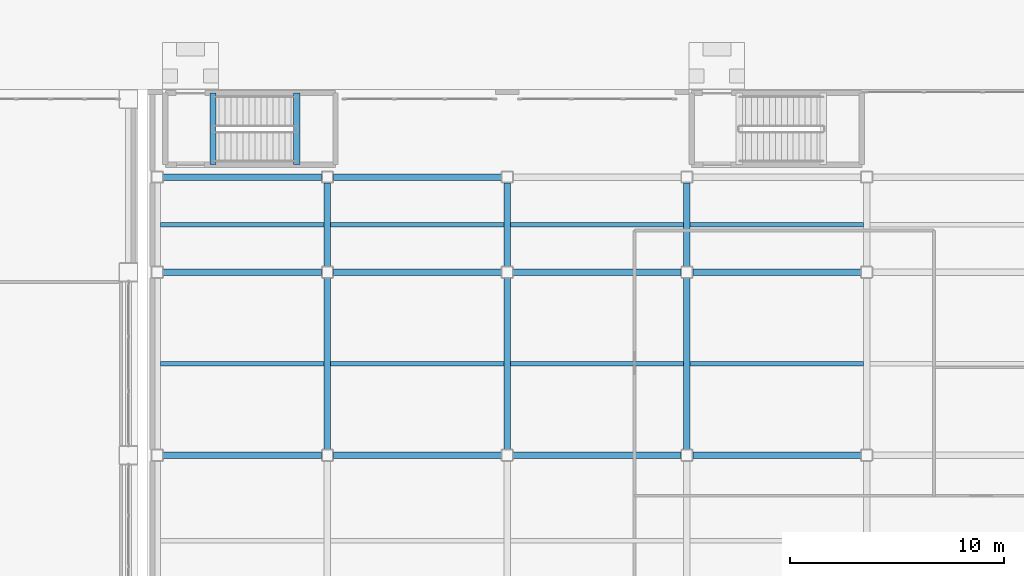
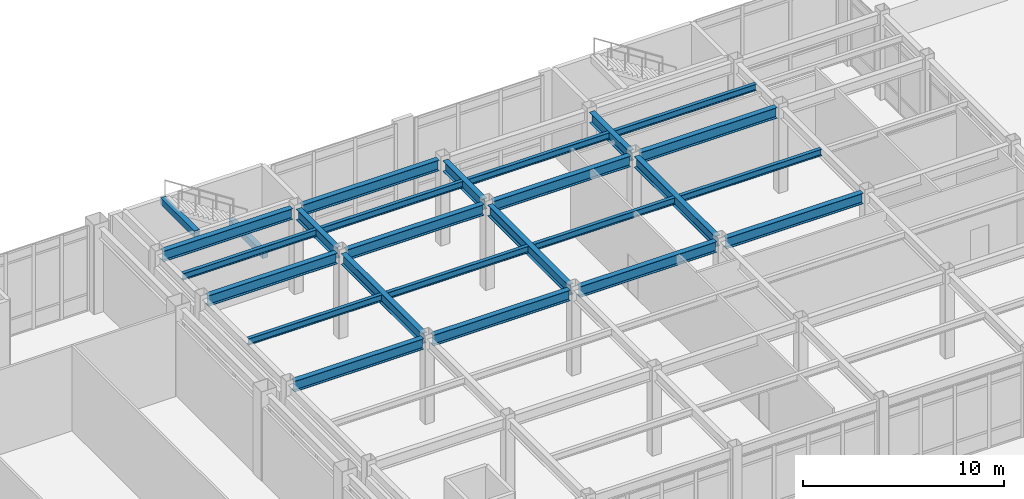
# One storey, part 77 of 165: 26 beams.
"""IFC4 building model written with IfcOpenShell, lengths in metres."""

from ifc_helpers import new_model, si_unit, direction, frame, origin, origin_2d, place, context, subcontext, project, spatial, rectangle, i_section, extrude, material, material_profile, profile_set, type_object, element, save


model = new_model("IFC4")

# Units and contexts
model_context = context("Model", 3, precision=1e-05, world=origin(), true_north=direction((0.0, 1.0)))
body_context = subcontext(model_context, "Body", "Model", "MODEL_VIEW")
ifc_project = project(units=[si_unit("LENGTHUNIT", "METRE"), si_unit("AREAUNIT", "SQUARE_METRE"), si_unit("VOLUMEUNIT", "CUBIC_METRE"), si_unit("PLANEANGLEUNIT", "RADIAN"), si_unit("MASSUNIT", "GRAM", prefix="KILO")], contexts=[model_context])

# Site, building, storey
site_placement = place(None, origin())
site = spatial("IfcSite", under=ifc_project, at=site_placement, CompositionType="ELEMENT")
building_placement = place(site_placement, origin())
building = spatial("IfcBuilding", under=site, at=building_placement, Name="Kazehara Bluff Congress Hotel", CompositionType="ELEMENT")
storey_placement = place(building_placement, origin())
storey = spatial("IfcBuildingStorey", under=building, at=storey_placement, Name="L00", CompositionType="ELEMENT", Elevation=0.0)

# Beams
ifc_material_1 = material(Name="Steel SN490B", Category="steel")
ifc_material_profile_1 = material_profile(ifc_material_1, i_section(OverallWidth=0.300048828125, OverallDepth=0.64990234375, WebThickness=0.011962890625, FlangeThickness=0.02001953125, FilletRadius=0.012939453125, at=origin_2d()))
ifc_profile_set_1 = profile_set([ifc_material_profile_1], Name="Steel SN490B")
beam_type_1 = type_object("IfcBeamType", Name="TP-G-03", PredefinedType="BEAM", material=ifc_profile_set_1)
beam_1_placement = place(storey_placement, frame((67.64990234375, 97.175048828125, 4.824951171875), z_axis=(0.0, 1.0, 0.0), x_axis=(-1.0, 0.0, 0.0)))
element("IfcBeam", 1, at=beam_1_placement, inside=storey, type_object=beam_type_1, Name="L00 girder G-03 105", PredefinedType="BEAM", context=body_context, shape_type="SweptSolid", body=[
    extrude(i_section(OverallWidth=0.300048828125, OverallDepth=0.64990234375, WebThickness=0.011962890625, FlangeThickness=0.02001953125, FilletRadius=0.012939453125, at=origin_2d()), origin(), (0.0, 0.0, 1.0), 8.0),
])
beam_2_placement = place(storey_placement, frame((67.64990234375, 105.72509765625, 4.824951171875), z_axis=(0.0, 1.0, 0.0), x_axis=(-1.0, 0.0, 0.0)))
element("IfcBeam", 2, at=beam_2_placement, inside=storey, type_object=beam_type_1, Name="L00 girder G-03 106", PredefinedType="BEAM", context=body_context, shape_type="SweptSolid", body=[
    extrude(i_section(OverallWidth=0.300048828125, OverallDepth=0.64990234375, WebThickness=0.011962890625, FlangeThickness=0.02001953125, FilletRadius=0.012939453125, at=origin_2d()), origin(), (0.0, 0.0, 1.0), 3.89990234375),
])
beam_3_placement = place(storey_placement, frame((76.050048828125, 97.175048828125, 4.824951171875), z_axis=(0.0, 1.0, 0.0), x_axis=(-1.0, 0.0, 0.0)))
element("IfcBeam", 3, at=beam_3_placement, inside=storey, type_object=beam_type_1, Name="L00 girder G-03 109", PredefinedType="BEAM", context=body_context, shape_type="SweptSolid", body=[
    extrude(i_section(OverallWidth=0.300048828125, OverallDepth=0.64990234375, WebThickness=0.011962890625, FlangeThickness=0.02001953125, FilletRadius=0.012939453125, at=origin_2d()), origin(), (0.0, 0.0, 1.0), 8.0),
])
beam_4_placement = place(storey_placement, frame((76.050048828125, 105.72509765625, 4.824951171875), z_axis=(0.0, 1.0, 0.0), x_axis=(-1.0, 0.0, 0.0)))
element("IfcBeam", 4, at=beam_4_placement, inside=storey, type_object=beam_type_1, Name="L00 girder G-03 110", PredefinedType="BEAM", context=body_context, shape_type="SweptSolid", body=[
    extrude(i_section(OverallWidth=0.300048828125, OverallDepth=0.64990234375, WebThickness=0.011962890625, FlangeThickness=0.02001953125, FilletRadius=0.012939453125, at=origin_2d()), origin(), (0.0, 0.0, 1.0), 3.89990234375),
])
beam_5_placement = place(storey_placement, frame((84.449951171875, 97.175048828125, 4.824951171875), z_axis=(0.0, 1.0, 0.0), x_axis=(-1.0, 0.0, 0.0)))
element("IfcBeam", 5, at=beam_5_placement, inside=storey, type_object=beam_type_1, Name="L00 girder G-03 113", PredefinedType="BEAM", context=body_context, shape_type="SweptSolid", body=[
    extrude(i_section(OverallWidth=0.300048828125, OverallDepth=0.64990234375, WebThickness=0.011962890625, FlangeThickness=0.02001953125, FilletRadius=0.012939453125, at=origin_2d()), origin(), (0.0, 0.0, 1.0), 8.0),
])
beam_6_placement = place(storey_placement, frame((84.449951171875, 105.72509765625, 4.824951171875), z_axis=(0.0, 1.0, 0.0), x_axis=(-1.0, 0.0, 0.0)))
element("IfcBeam", 6, at=beam_6_placement, inside=storey, type_object=beam_type_1, Name="L00 girder G-03 114", PredefinedType="BEAM", context=body_context, shape_type="SweptSolid", body=[
    extrude(i_section(OverallWidth=0.300048828125, OverallDepth=0.64990234375, WebThickness=0.011962890625, FlangeThickness=0.02001953125, FilletRadius=0.012939453125, at=origin_2d()), origin(), (0.0, 0.0, 1.0), 3.89990234375),
])
beam_7_placement = place(storey_placement, frame((59.97509765625, 96.89990234375, 4.824951171875), z_axis=(1.0, 0.0, 0.0), x_axis=(0.0, 1.0, 0.0)))
element("IfcBeam", 7, at=beam_7_placement, inside=storey, type_object=beam_type_1, Name="L00 girder G-03 133", PredefinedType="BEAM", context=body_context, shape_type="SweptSolid", body=[
    extrude(i_section(OverallWidth=0.300048828125, OverallDepth=0.64990234375, WebThickness=0.011962890625, FlangeThickness=0.02001953125, FilletRadius=0.012939453125, at=origin_2d()), origin(), (0.0, 0.0, 1.0), 7.39990234375),
])
beam_8_placement = place(storey_placement, frame((67.925048828125, 96.89990234375, 4.824951171875), z_axis=(1.0, 0.0, 0.0), x_axis=(0.0, 1.0, 0.0)))
element("IfcBeam", 8, at=beam_8_placement, inside=storey, type_object=beam_type_1, Name="L00 girder G-03 134", PredefinedType="BEAM", context=body_context, shape_type="SweptSolid", body=[
    extrude(i_section(OverallWidth=0.300048828125, OverallDepth=0.64990234375, WebThickness=0.011962890625, FlangeThickness=0.02001953125, FilletRadius=0.012939453125, at=origin_2d()), origin(), (0.0, 0.0, 1.0), 7.849853515625),
])
beam_9_placement = place(storey_placement, frame((76.324951171875, 96.89990234375, 4.824951171875), z_axis=(1.0, 0.0, 0.0), x_axis=(0.0, 1.0, 0.0)))
element("IfcBeam", 9, at=beam_9_placement, inside=storey, type_object=beam_type_1, Name="L00 girder G-03 135", PredefinedType="BEAM", context=body_context, shape_type="SweptSolid", body=[
    extrude(i_section(OverallWidth=0.300048828125, OverallDepth=0.64990234375, WebThickness=0.011962890625, FlangeThickness=0.02001953125, FilletRadius=0.012939453125, at=origin_2d()), origin(), (0.0, 0.0, 1.0), 7.85009765625),
])
beam_10_placement = place(storey_placement, frame((84.72509765625, 96.89990234375, 4.824951171875), z_axis=(1.0, 0.0, 0.0), x_axis=(0.0, 1.0, 0.0)))
element("IfcBeam", 10, at=beam_10_placement, inside=storey, type_object=beam_type_1, Name="L00 girder G-03 136", PredefinedType="BEAM", context=body_context, shape_type="SweptSolid", body=[
    extrude(i_section(OverallWidth=0.300048828125, OverallDepth=0.64990234375, WebThickness=0.011962890625, FlangeThickness=0.02001953125, FilletRadius=0.012939453125, at=origin_2d()), origin(), (0.0, 0.0, 1.0), 7.849853515625),
])
beam_11_placement = place(storey_placement, frame((59.97509765625, 105.449951171875, 4.824951171875), z_axis=(1.0, 0.0, 0.0), x_axis=(0.0, 1.0, 0.0)))
element("IfcBeam", 11, at=beam_11_placement, inside=storey, type_object=beam_type_1, Name="L00 girder G-03 138", PredefinedType="BEAM", context=body_context, shape_type="SweptSolid", body=[
    extrude(i_section(OverallWidth=0.300048828125, OverallDepth=0.64990234375, WebThickness=0.011962890625, FlangeThickness=0.02001953125, FilletRadius=0.012939453125, at=origin_2d()), origin(), (0.0, 0.0, 1.0), 7.39990234375),
])
beam_12_placement = place(storey_placement, frame((67.925048828125, 105.449951171875, 4.824951171875), z_axis=(1.0, 0.0, 0.0), x_axis=(0.0, 1.0, 0.0)))
element("IfcBeam", 12, at=beam_12_placement, inside=storey, type_object=beam_type_1, Name="L00 girder G-03 139", PredefinedType="BEAM", context=body_context, shape_type="SweptSolid", body=[
    extrude(i_section(OverallWidth=0.300048828125, OverallDepth=0.64990234375, WebThickness=0.011962890625, FlangeThickness=0.02001953125, FilletRadius=0.012939453125, at=origin_2d()), origin(), (0.0, 0.0, 1.0), 7.849853515625),
])
beam_13_placement = place(storey_placement, frame((76.324951171875, 105.449951171875, 4.824951171875), z_axis=(1.0, 0.0, 0.0), x_axis=(0.0, 1.0, 0.0)))
element("IfcBeam", 13, at=beam_13_placement, inside=storey, type_object=beam_type_1, Name="L00 girder G-03 140", PredefinedType="BEAM", context=body_context, shape_type="SweptSolid", body=[
    extrude(i_section(OverallWidth=0.300048828125, OverallDepth=0.64990234375, WebThickness=0.011962890625, FlangeThickness=0.02001953125, FilletRadius=0.012939453125, at=origin_2d()), origin(), (0.0, 0.0, 1.0), 7.85009765625),
])
beam_14_placement = place(storey_placement, frame((84.72509765625, 105.449951171875, 4.824951171875), z_axis=(1.0, 0.0, 0.0), x_axis=(0.0, 1.0, 0.0)))
element("IfcBeam", 14, at=beam_14_placement, inside=storey, type_object=beam_type_1, Name="L00 girder G-03 141", PredefinedType="BEAM", context=body_context, shape_type="SweptSolid", body=[
    extrude(i_section(OverallWidth=0.300048828125, OverallDepth=0.64990234375, WebThickness=0.011962890625, FlangeThickness=0.02001953125, FilletRadius=0.012939453125, at=origin_2d()), origin(), (0.0, 0.0, 1.0), 7.849853515625),
])
beam_15_placement = place(storey_placement, frame((59.97509765625, 109.89990234375, 4.824951171875), z_axis=(1.0, 0.0, 0.0), x_axis=(0.0, 1.0, 0.0)))
element("IfcBeam", 15, at=beam_15_placement, inside=storey, type_object=beam_type_1, Name="L00 girder G-03 143", PredefinedType="BEAM", context=body_context, shape_type="SweptSolid", body=[
    extrude(i_section(OverallWidth=0.300048828125, OverallDepth=0.64990234375, WebThickness=0.011962890625, FlangeThickness=0.02001953125, FilletRadius=0.012939453125, at=origin_2d()), origin(), (0.0, 0.0, 1.0), 7.39990234375),
])
beam_16_placement = place(storey_placement, frame((67.925048828125, 109.89990234375, 4.824951171875), z_axis=(1.0, 0.0, 0.0), x_axis=(0.0, 1.0, 0.0)))
element("IfcBeam", 16, at=beam_16_placement, inside=storey, type_object=beam_type_1, Name="L00 girder G-03 144", PredefinedType="BEAM", context=body_context, shape_type="SweptSolid", body=[
    extrude(i_section(OverallWidth=0.300048828125, OverallDepth=0.64990234375, WebThickness=0.011962890625, FlangeThickness=0.02001953125, FilletRadius=0.012939453125, at=origin_2d()), origin(), (0.0, 0.0, 1.0), 7.849853515625),
])
ifc_material_2 = material(Name="Steel SN400B", Category="steel")
ifc_material_profile_2 = material_profile(ifc_material_2, i_section(OverallWidth=0.199951171875, OverallDepth=0.39990234375, WebThickness=0.008056640625, FlangeThickness=0.012939453125, FilletRadius=0.012939453125, at=origin_2d()))
ifc_profile_set_2 = profile_set([ifc_material_profile_2], Name="Steel SN400B")
beam_type_2 = type_object("IfcBeamType", Name="TP-J-03", PredefinedType="JOIST", material=ifc_profile_set_2)
for number, where, z_axis, x_axis, name in (
    (17, (59.85009765625, 101.175048828125, 4.949951171875), (1.0, 0.0, 0.0), (0.0, 1.0, 0.0), "L00 secondary joist J-03 13"),
    (18, (59.85009765625, 107.675048828125, 4.949951171875), (1.0, 0.0, 0.0), (0.0, 1.0, 0.0), "L00 secondary joist J-03 14"),
):
    element("IfcBeam", number, at=place(storey_placement, frame(where, z_axis=z_axis, x_axis=x_axis)), inside=storey, type_object=beam_type_2, Name=name, PredefinedType="JOIST", context=body_context, shape_type="SweptSolid", body=[
        extrude(i_section(OverallWidth=0.199951171875, OverallDepth=0.39990234375, WebThickness=0.008056640625, FlangeThickness=0.012939453125, FilletRadius=0.012939453125, at=origin_2d()), origin(), (0.0, 0.0, 1.0), 7.64990234375),
    ])
for number, where, z_axis, x_axis, name in (
    (19, (67.800048828125, 101.175048828125, 4.949951171875), (1.0, 0.0, 0.0), (0.0, 1.0, 0.0), "L00 secondary joist J-03 17"),
    (20, (67.800048828125, 107.675048828125, 4.949951171875), (1.0, 0.0, 0.0), (0.0, 1.0, 0.0), "L00 secondary joist J-03 18"),
):
    element("IfcBeam", number, at=place(storey_placement, frame(where, z_axis=z_axis, x_axis=x_axis)), inside=storey, type_object=beam_type_2, Name=name, PredefinedType="JOIST", context=body_context, shape_type="SweptSolid", body=[
        extrude(i_section(OverallWidth=0.199951171875, OverallDepth=0.39990234375, WebThickness=0.008056640625, FlangeThickness=0.012939453125, FilletRadius=0.012939453125, at=origin_2d()), origin(), (0.0, 0.0, 1.0), 8.099853515625),
    ])
for number, where, z_axis, x_axis, name in (
    (21, (76.199951171875, 101.175048828125, 4.949951171875), (1.0, 0.0, 0.0), (0.0, 1.0, 0.0), "L00 secondary joist J-03 21"),
    (22, (76.199951171875, 107.675048828125, 4.949951171875), (1.0, 0.0, 0.0), (0.0, 1.0, 0.0), "L00 secondary joist J-03 22"),
):
    element("IfcBeam", number, at=place(storey_placement, frame(where, z_axis=z_axis, x_axis=x_axis)), inside=storey, type_object=beam_type_2, Name=name, PredefinedType="JOIST", context=body_context, shape_type="SweptSolid", body=[
        extrude(i_section(OverallWidth=0.199951171875, OverallDepth=0.39990234375, WebThickness=0.008056640625, FlangeThickness=0.012939453125, FilletRadius=0.012939453125, at=origin_2d()), origin(), (0.0, 0.0, 1.0), 8.10009765625),
    ])
for number, where, z_axis, x_axis, name in (
    (23, (84.60009765625, 101.175048828125, 4.949951171875), (1.0, 0.0, 0.0), (0.0, 1.0, 0.0), "L00 secondary joist J-03 25"),
    (24, (84.60009765625, 107.675048828125, 4.949951171875), (1.0, 0.0, 0.0), (0.0, 1.0, 0.0), "L00 secondary joist J-03 26"),
):
    element("IfcBeam", number, at=place(storey_placement, frame(where, z_axis=z_axis, x_axis=x_axis)), inside=storey, type_object=beam_type_2, Name=name, PredefinedType="JOIST", context=body_context, shape_type="SweptSolid", body=[
        extrude(i_section(OverallWidth=0.199951171875, OverallDepth=0.39990234375, WebThickness=0.008056640625, FlangeThickness=0.012939453125, FilletRadius=0.012939453125, at=origin_2d()), origin(), (0.0, 0.0, 1.0), 8.099853515625),
    ])
ifc_material_3 = material(Name="Concrete C40/50", Category="concrete")
ifc_material_profile_3 = material_profile(ifc_material_3, rectangle(XDim=0.300048828125, YDim=0.39990234375, at=origin_2d()))
ifc_profile_set_3 = profile_set([ifc_material_profile_3], Name="Concrete C40/50")
beam_type_3 = type_object("IfcBeamType", Name="TP-LN-02", PredefinedType="LINTEL", material=ifc_profile_set_3)
for number, where, z_axis, x_axis, name in (
    (25, (66.219970703125, 110.47509765625, 2.320068359375), (0.0, 1.0, 0.0), (-1.0, 0.0, 0.0), "L00 ST-06 half-landing support beam 1"),
    (26, (62.300048828125, 110.47509765625, 4.969970703125), (0.0, 1.0, 0.0), (-1.0, 0.0, 0.0), "L01 ST-06 stairwell trimmer beam"),
):
    element("IfcBeam", number, at=place(storey_placement, frame(where, z_axis=z_axis, x_axis=x_axis)), inside=storey, type_object=beam_type_3, Name=name, PredefinedType="LINTEL", context=body_context, shape_type="SweptSolid", body=[
        extrude(rectangle(XDim=0.300048828125, YDim=0.39990234375, at=origin_2d()), origin(), (0.0, 0.0, 1.0), 3.349853515625),
    ])

save(model, "model.ifc")
